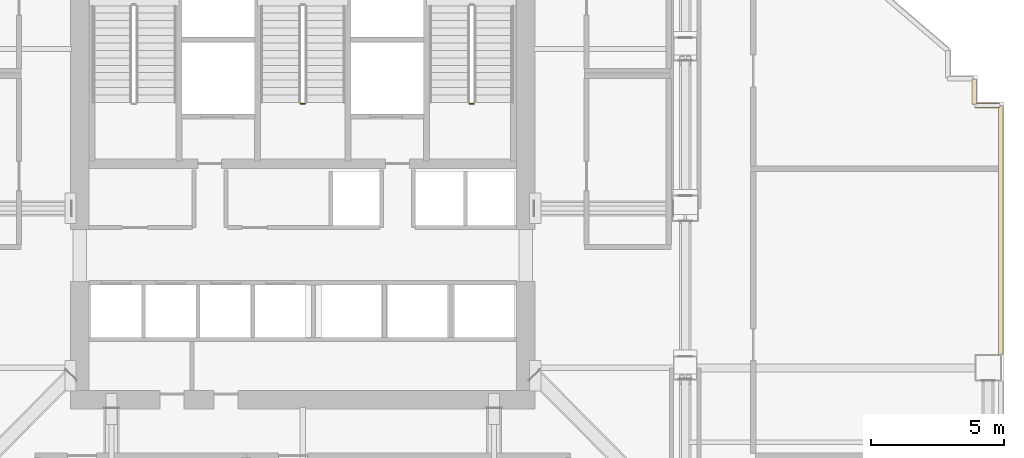
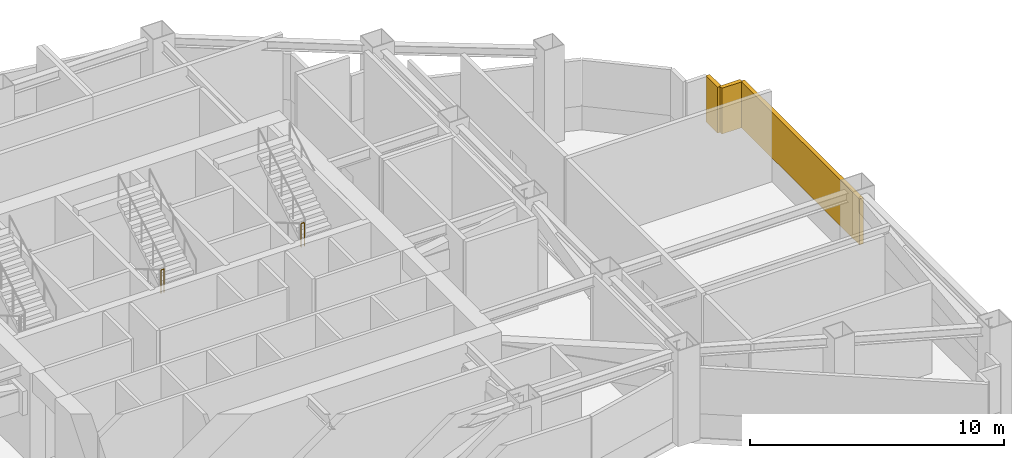
# One storey, part 21 of 24: 3 shading devices, 2 railings.
"""IFC4 building model written with IfcOpenShell, lengths in metres."""

from ifc_helpers import new_model, si_unit, direction, frame, origin, origin_2d, place, context, subcontext, project, spatial, rectangle, circle, extrude, material, type_object, element, save


model = new_model("IFC4")

# Units and contexts
model_context = context("Model", 3, precision=1e-05, world=origin(), true_north=direction((0.0, 1.0)))
body_context = subcontext(model_context, "Body", "Model", "MODEL_VIEW")
ifc_project = project(units=[si_unit("LENGTHUNIT", "METRE"), si_unit("AREAUNIT", "SQUARE_METRE"), si_unit("VOLUMEUNIT", "CUBIC_METRE"), si_unit("PLANEANGLEUNIT", "RADIAN"), si_unit("MASSUNIT", "GRAM", prefix="KILO")], contexts=[model_context])

# Site, building, storey
site_placement = place(None, origin())
site = spatial("IfcSite", under=ifc_project, at=site_placement, CompositionType="ELEMENT")
building_placement = place(site_placement, origin())
building = spatial("IfcBuilding", under=site, at=building_placement, Name="Haolan Belvedere Tower", CompositionType="ELEMENT")
storey_placement = place(building_placement, frame((0.0, 0.0, 160.0)))
storey = spatial("IfcBuildingStorey", under=building, at=storey_placement, Name="L40", CompositionType="ELEMENT", Elevation=160.0)

# Railings
ifc_material_1 = material(Name="Brushed stainless steel 304", Category="steel")
railing_type = type_object("IfcRailingType", Name="RL-STAIR-GRD-1150", PredefinedType="GUARDRAIL", material=ifc_material_1)
railing_1_placement = place(storey_placement, frame((38.330078125, 37.5400390625, 2.300048828125)))
element("IfcRailing", 1, at=railing_1_placement, inside=storey, type_object=railing_type, Name="L40 ST3 stair guard 2", PredefinedType="GUARDRAIL", context=body_context, shape_type="SweptSolid", body=[
    extrude(circle(Radius=0.02392578125, at=origin_2d()), frame((0.0, 0.0, 1.1259765625), z_axis=(1.0, 0.0, 0.0), x_axis=(0.0, 1.0, 0.0)), (0.0, 0.0, 1.0), 0.139892578125),
    extrude(circle(Radius=0.02099609375, at=origin_2d()), origin(), (0.0, 0.0, 1.0), 1.101806640625),
    extrude(circle(Radius=0.02099609375, at=origin_2d()), frame((0.139892578125, 0.0, 0.0)), (0.0, 0.0, 1.0), 1.101806640625),
])
railing_2_placement = place(storey_placement, frame((44.68994140625, 37.5400390625, 2.300048828125)))
element("IfcRailing", 2, at=railing_2_placement, inside=storey, type_object=railing_type, Name="L40 ST2 stair guard 2", PredefinedType="GUARDRAIL", context=body_context, shape_type="SweptSolid", body=[
    extrude(circle(Radius=0.02392578125, at=origin_2d()), frame((0.0, 0.0, 1.1259765625), z_axis=(1.0, 0.0, 0.0), x_axis=(0.0, 1.0, 0.0)), (0.0, 0.0, 1.0), 0.14013671875),
    extrude(circle(Radius=0.02099609375, at=origin_2d()), origin(), (0.0, 0.0, 1.0), 1.101806640625),
    extrude(circle(Radius=0.02099609375, at=origin_2d()), frame((0.14013671875, 0.0, 0.0)), (0.0, 0.0, 1.0), 1.101806640625),
])

# Shading devices
ifc_material_2 = material(Name="Anodised champagne-silver aluminium 6063-T6", Category="aluminium")
shading_device_type = type_object("IfcShadingDeviceType", Name="SHD-LOUV-180", PredefinedType="JALOUSIE", material=ifc_material_2)
shading_device_placement = place(storey_placement, frame((64.679931640625, 32.785888671875, 1.14990234375), z_axis=(0.0, 0.0, 1.0), x_axis=(0.0, 1.0, 0.0)))
element("IfcShadingDevice", 3, at=shading_device_placement, inside=storey, type_object=shading_device_type, Name="L40 refuge storm-proof louvre bank 14.2", PredefinedType="JALOUSIE", context=body_context, shape_type="SweptSolid", body=[
    extrude(rectangle(XDim=9.347900390625, YDim=0.179931640625, at=origin_2d()), origin(), (0.0, 0.0, 1.0), 2.199951171875),
])
for number, where, z_axis, x_axis, name in (
    (4, (64.1650390625, 37.47998046875, 1.14990234375), (0.0, 0.0, 1.0), (-1.0, 0.0, 0.0), "L40 refuge storm-proof louvre bank 15.1"),
    (5, (63.679931640625, 37.9951171875, 1.14990234375), (0.0, 0.0, 1.0), (0.0, 1.0, 0.0), "L40 refuge storm-proof louvre bank 16.1"),
):
    element("IfcShadingDevice", number, at=place(storey_placement, frame(where, z_axis=z_axis, x_axis=x_axis)), inside=storey, type_object=shading_device_type, Name=name, PredefinedType="JALOUSIE", context=body_context, shape_type="SweptSolid", body=[
        extrude(rectangle(XDim=0.929931640625, YDim=0.179931640625, at=origin_2d()), origin(), (0.0, 0.0, 1.0), 2.199951171875),
    ])

save(model, "model.ifc")
